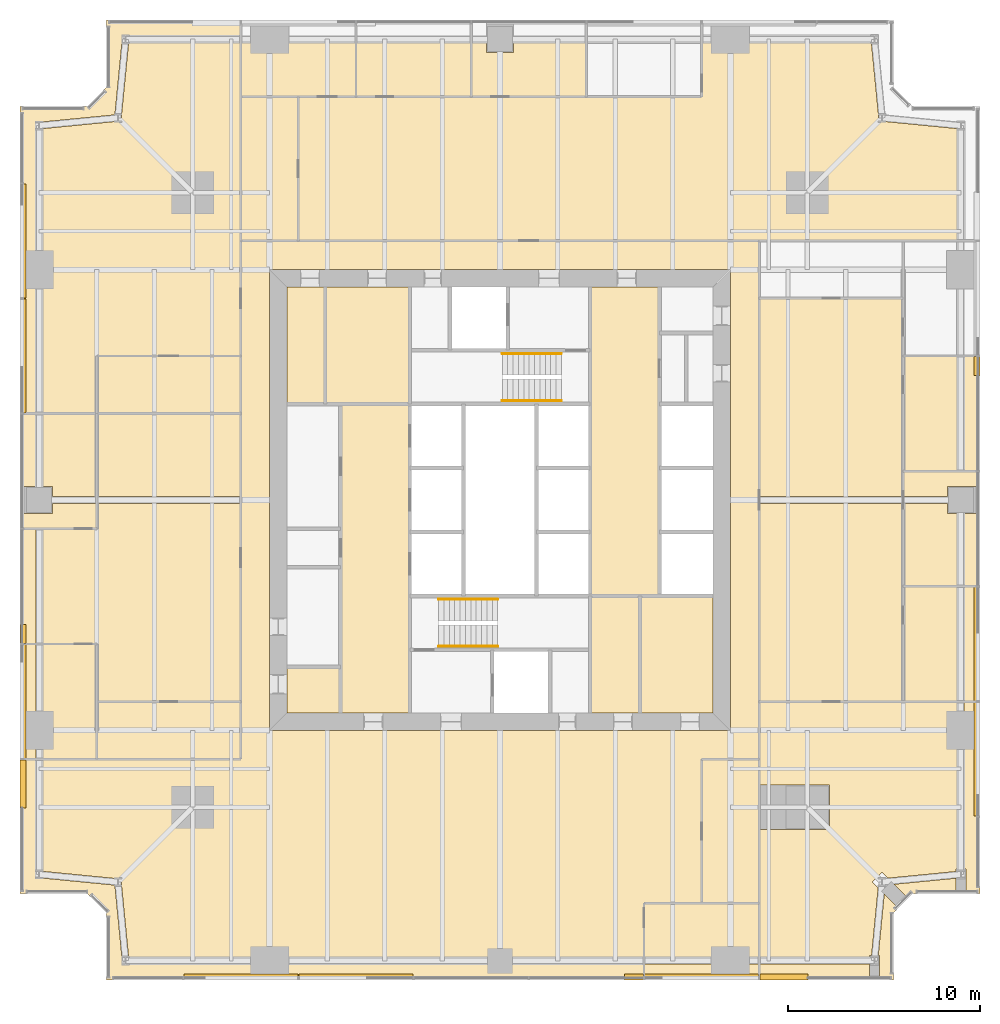
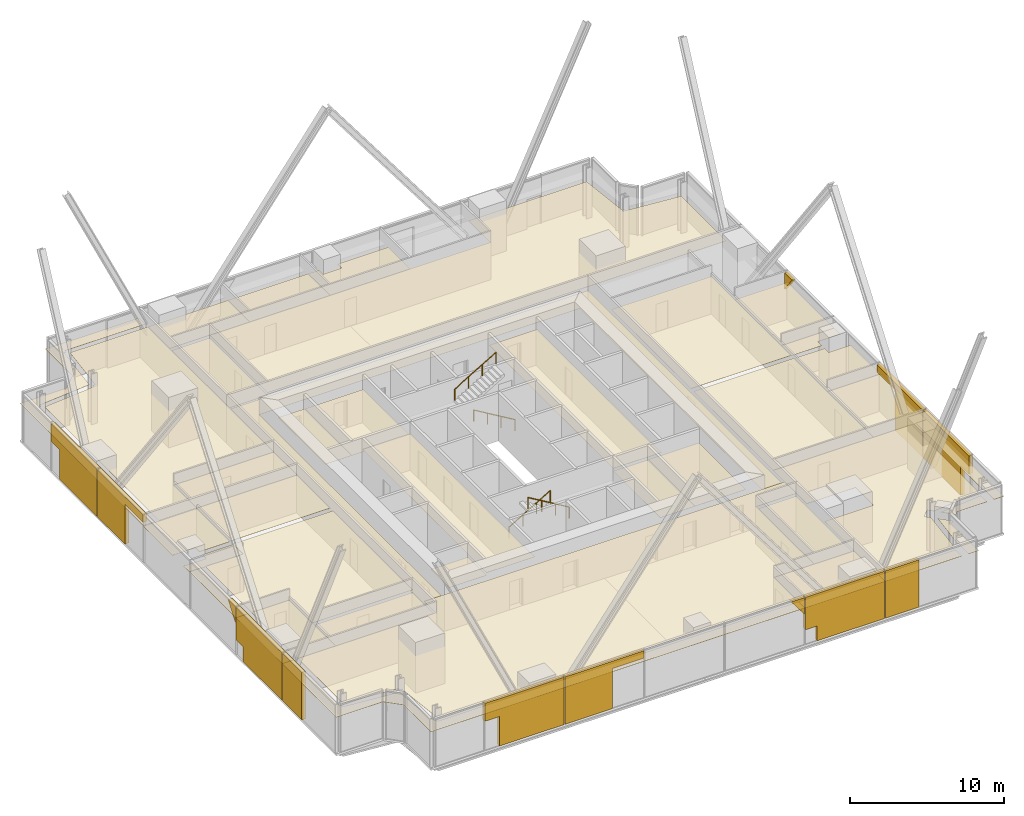
# One storey, part 13 of 14: 53 coverings, 4 railings.
"""IFC4 building model written with IfcOpenShell, lengths in metres."""

from ifc_helpers import new_model, si_unit, direction, frame, origin, origin_2d, place, context, subcontext, project, spatial, polyline, circle, outline, extrude, material, layer, layer_set, type_object, element, save


model = new_model("IFC4")

# Units and contexts
model_context = context("Model", 3, precision=1e-05, world=origin(), true_north=direction((0.0, 1.0)))
body_context = subcontext(model_context, "Body", "Model", "MODEL_VIEW")
ifc_project = project(units=[si_unit("LENGTHUNIT", "METRE"), si_unit("AREAUNIT", "SQUARE_METRE"), si_unit("VOLUMEUNIT", "CUBIC_METRE"), si_unit("PLANEANGLEUNIT", "RADIAN"), si_unit("MASSUNIT", "GRAM", prefix="KILO")], contexts=[model_context])

# Site, building, storey
site_placement = place(None, origin())
site = spatial("IfcSite", under=ifc_project, at=site_placement, CompositionType="ELEMENT")
building_placement = place(site_placement, origin())
building = spatial("IfcBuilding", under=site, at=building_placement, Name="Fenwick Lantern Interchange", CompositionType="ELEMENT")
storey_placement = place(building_placement, frame((0.0, 0.0, 130.39990234375)))
storey = spatial("IfcBuildingStorey", under=building, at=storey_placement, Name="L30", CompositionType="ELEMENT", Elevation=130.39990234375)

# Coverings
ifc_material_1 = material(Name="Mineral fibre acoustic tile on suspended grid")
ifc_layer_1 = layer(ifc_material_1, 0.02001953125)
ifc_layer_set_1 = layer_set([ifc_layer_1], Name="ACOUSTIC TILE CEILING 20")
covering_type_1 = type_object("IfcCoveringType", Name="ACOUSTIC TILE CEILING 20", PredefinedType="CEILING", material=ifc_layer_set_1)
covering_1_placement = place(storey_placement, frame((0.0, 0.0, 2.900146484375)))
element("IfcCovering", 1, at=covering_1_placement, inside=storey, type_object=covering_type_1, Name="Open office ceiling", PredefinedType="CEILING", context=body_context, shape_type="SweptSolid", body=[
    extrude(outline(polyline([(11.5, 11.5), (1.17236328125, 11.5), (1.17236328125, 5.656494140625), (5.11669921875, 5.271484375), (5.10009765625, 5.10009765625), (5.271484375, 5.11669921875), (5.656494140625, 1.17236328125), (13.0, 1.17236328125), (25.0, 1.17236328125), (32.5, 1.17236328125), (32.5, 4.0), (35.5, 4.0), (35.5, 11.5), (38.5, 11.5), (38.5, 13.0), (11.5, 13.0), (11.5, 11.5)])), origin(), (0.0, 0.0, 1.0), 0.02001953125),
])
covering_2_placement = place(storey_placement, frame((0.0, 0.0, 2.900146484375)))
element("IfcCovering", 2, at=covering_2_placement, inside=storey, type_object=covering_type_1, Name="Open office ceiling", PredefinedType="CEILING", context=body_context, shape_type="SweptSolid", body=[
    extrude(outline(polyline([(4.5, 3.5), (4.5, 0.0), (32.5, 0.0), (32.5, 0.82763671875), (25.0, 0.82763671875), (13.0, 0.82763671875), (5.5, 0.82763671875), (5.5, 1.0), (5.328369140625, 0.983154296875), (4.942138671875, 4.942138671875), (0.983154296875, 5.328369140625), (1.0, 5.5), (0.82763671875, 5.5), (0.82763671875, 11.5), (0.0, 11.5), (0.0, 4.5), (3.5, 4.5), (4.5, 3.5)])), origin(), (0.0, 0.0, 1.0), 0.02001953125),
])
covering_3_placement = place(storey_placement, frame((0.0, 0.0, 2.900146484375)))
element("IfcCovering", 3, at=covering_3_placement, inside=storey, type_object=covering_type_1, Name="Meeting room ceiling", PredefinedType="CEILING", context=body_context, shape_type="SweptSolid", body=[
    extrude(outline(polyline([(32.5, 4.0), (32.5, 1.17236328125), (37.0, 1.17236328125), (38.5, 1.17236328125), (38.5, 4.0), (32.5, 4.0)])), origin(), (0.0, 0.0, 1.0), 0.02001953125),
])
covering_4_placement = place(storey_placement, frame((0.0, 0.0, 2.900146484375)))
element("IfcCovering", 4, at=covering_4_placement, inside=storey, type_object=covering_type_1, Name="Meeting room ceiling", PredefinedType="CEILING", context=body_context, shape_type="SweptSolid", body=[
    extrude(outline(polyline([(38.5, 0.0), (38.5, 0.82763671875), (37.0, 0.82763671875), (32.5, 0.82763671875), (32.5, 0.0), (38.5, 0.0)])), origin(), (0.0, 0.0, 1.0), 0.02001953125),
])
covering_5_placement = place(storey_placement, frame((0.0, 0.0, 2.900146484375)))
element("IfcCovering", 5, at=covering_5_placement, inside=storey, type_object=covering_type_1, Name="Office suite ceiling", PredefinedType="CEILING", context=body_context, shape_type="SweptSolid", body=[
    extrude(outline(polyline([(38.5, 24.824951171875), (38.5, 14.5), (46.0, 14.5), (46.0, 24.824951171875), (38.5, 24.824951171875)])), origin(), (0.0, 0.0, 1.0), 0.02001953125),
])
covering_6_placement = place(storey_placement, frame((0.0, 0.0, 2.900146484375)))
element("IfcCovering", 6, at=covering_6_placement, inside=storey, type_object=covering_type_1, Name="Office suite ceiling", PredefinedType="CEILING", context=body_context, shape_type="SweptSolid", body=[
    extrude(outline(polyline([(38.5, 35.5), (38.5, 25.175048828125), (46.0, 25.175048828125), (46.0, 35.5), (38.5, 35.5)])), origin(), (0.0, 0.0, 1.0), 0.02001953125),
])
covering_7_placement = place(storey_placement, frame((0.0, 0.0, 2.900146484375)))
element("IfcCovering", 7, at=covering_7_placement, inside=storey, type_object=covering_type_1, Name="Office ceiling", PredefinedType="CEILING", context=body_context, shape_type="SweptSolid", body=[
    extrude(outline(polyline([(44.23779296875, 1.28759765625), (44.354736328125, 1.28759765625), (44.696044921875, 4.78369140625), (44.379638671875, 5.10009765625), (44.89990234375, 5.620361328125), (45.21630859375, 5.303955078125), (48.73779296875, 5.647705078125), (48.73779296875, 5.78759765625), (48.82763671875, 5.78759765625), (48.82763671875, 13.0), (48.82763671875, 14.5), (38.5, 14.5), (38.5, 10.14990234375), (42.14990234375, 10.14990234375), (42.14990234375, 7.85009765625), (38.5, 7.85009765625), (38.5, 1.17236328125), (44.23779296875, 1.17236328125), (44.23779296875, 1.28759765625)])), origin(), (0.0, 0.0, 1.0), 0.02001953125),
])
covering_8_placement = place(storey_placement, frame((0.0, 0.0, 2.900146484375)))
element("IfcCovering", 8, at=covering_8_placement, inside=storey, type_object=covering_type_1, Name="Office ceiling", PredefinedType="CEILING", context=body_context, shape_type="SweptSolid", body=[
    extrude(outline(polyline([(50.0, 14.5), (49.17236328125, 14.5), (49.17236328125, 13.0), (49.17236328125, 5.78759765625), (49.26220703125, 5.78759765625), (49.26220703125, 4.5), (50.0, 4.5), (50.0, 14.5)])), origin(), (0.0, 0.0, 1.0), 0.02001953125),
])
covering_9_placement = place(storey_placement, frame((0.0, 0.0, 2.900146484375)))
element("IfcCovering", 9, at=covering_9_placement, inside=storey, type_object=covering_type_1, Name="Office ceiling", PredefinedType="CEILING", context=body_context, shape_type="SweptSolid", body=[
    extrude(outline(polyline([(44.23779296875, 0.0), (44.23779296875, 0.82763671875), (38.5, 0.82763671875), (38.5, 0.0), (44.23779296875, 0.0)])), origin(), (0.0, 0.0, 1.0), 0.02001953125),
])
covering_10_placement = place(storey_placement, frame((0.0, 0.0, 2.900146484375)))
element("IfcCovering", 10, at=covering_10_placement, inside=storey, type_object=covering_type_1, Name="Office ceiling", PredefinedType="CEILING", context=body_context, shape_type="SweptSolid", body=[
    extrude(outline(polyline([(44.76220703125, 1.28759765625), (44.76220703125, 0.0), (45.5, 0.0), (45.5, 3.5), (45.73974609375, 3.73974609375), (45.011474609375, 4.468017578125), (44.701171875, 1.28759765625), (44.76220703125, 1.28759765625)])), origin(), (0.0, 0.0, 1.0), 0.02001953125),
])
covering_11_placement = place(storey_placement, frame((0.0, 0.0, 2.900146484375)))
element("IfcCovering", 11, at=covering_11_placement, inside=storey, type_object=covering_type_1, Name="Office ceiling", PredefinedType="CEILING", context=body_context, shape_type="SweptSolid", body=[
    extrude(outline(polyline([(48.73779296875, 4.5), (48.73779296875, 5.30126953125), (45.531982421875, 4.988525390625), (46.26025390625, 4.26025390625), (46.5, 4.5), (48.73779296875, 4.5)])), origin(), (0.0, 0.0, 1.0), 0.02001953125),
])
covering_12_placement = place(storey_placement, frame((0.0, 0.0, 2.8681640625)))
element("IfcCovering", 12, at=covering_12_placement, inside=storey, type_object=covering_type_1, Name="Office ceiling", PredefinedType="CEILING", context=body_context, shape_type="SweptSolid", body=[
    extrude(outline(polyline([(50.0, 14.5), (50.0, 20.5), (46.0, 20.5), (46.0, 14.5), (50.0, 14.5)])), origin(), (0.0, 0.0, 1.0), 0.02001953125),
])
covering_13_placement = place(storey_placement, frame((0.0, 0.0, 2.8681640625)))
element("IfcCovering", 13, at=covering_13_placement, inside=storey, type_object=covering_type_1, Name="Office ceiling", PredefinedType="CEILING", context=body_context, shape_type="SweptSolid", body=[
    extrude(outline(polyline([(46.0, 20.5), (50.0, 20.5), (50.0, 24.300048828125), (48.300048828125, 24.300048828125), (48.300048828125, 24.824951171875), (46.0, 24.824951171875), (46.0, 20.5)])), origin(), (0.0, 0.0, 1.0), 0.02001953125),
])
covering_14_placement = place(storey_placement, frame((0.0, 0.0, 2.8681640625)))
element("IfcCovering", 14, at=covering_14_placement, inside=storey, type_object=covering_type_1, Name="Office ceiling", PredefinedType="CEILING", context=body_context, shape_type="SweptSolid", body=[
    extrude(outline(polyline([(46.0, 26.5), (46.0, 25.175048828125), (48.300048828125, 25.175048828125), (48.300048828125, 25.699951171875), (50.0, 25.699951171875), (50.0, 26.5), (46.0, 26.5)])), origin(), (0.0, 0.0, 1.0), 0.02001953125),
])
covering_15_placement = place(storey_placement, frame((0.0, 0.0, 2.8681640625)))
element("IfcCovering", 15, at=covering_15_placement, inside=storey, type_object=covering_type_1, Name="Office ceiling", PredefinedType="CEILING", context=body_context, shape_type="SweptSolid", body=[
    extrude(outline(polyline([(50.0, 26.5), (50.0, 32.5), (46.0, 32.5), (46.0, 26.5), (50.0, 26.5)])), origin(), (0.0, 0.0, 1.0), 0.02001953125),
])
covering_16_placement = place(storey_placement, frame((0.0, 0.0, 2.900146484375)))
element("IfcCovering", 16, at=covering_16_placement, inside=storey, type_object=covering_type_1, Name="Office suite ceiling", PredefinedType="CEILING", context=body_context, shape_type="SweptSolid", body=[
    extrude(outline(polyline([(14.5, 38.5), (48.82763671875, 38.5), (48.82763671875, 44.343505859375), (44.88330078125, 44.728515625), (44.89990234375, 44.89990234375), (44.728515625, 44.88330078125), (44.343505859375, 48.82763671875), (37.0, 48.82763671875), (35.5, 48.82763671875), (35.5, 46.0), (14.5, 46.0), (14.5, 38.5)])), origin(), (0.0, 0.0, 1.0), 0.02001953125),
])
covering_17_placement = place(storey_placement, frame((0.0, 0.0, 2.900146484375)))
element("IfcCovering", 17, at=covering_17_placement, inside=storey, type_object=covering_type_1, Name="Office ceiling", PredefinedType="CEILING", context=body_context, shape_type="SweptSolid", body=[
    extrude(outline(polyline([(29.5, 46.0), (29.5, 48.82763671875), (25.699951171875, 48.82763671875), (25.699951171875, 48.300048828125), (24.300048828125, 48.300048828125), (24.300048828125, 48.82763671875), (23.5, 48.82763671875), (23.5, 46.0), (29.5, 46.0)])), origin(), (0.0, 0.0, 1.0), 0.02001953125),
])
covering_18_placement = place(storey_placement, frame((0.0, 0.0, 2.900146484375)))
element("IfcCovering", 18, at=covering_18_placement, inside=storey, type_object=covering_type_1, Name="Office ceiling", PredefinedType="CEILING", context=body_context, shape_type="SweptSolid", body=[
    extrude(outline(polyline([(23.5, 46.0), (23.5, 48.82763671875), (17.5, 48.82763671875), (17.5, 46.0), (23.5, 46.0)])), origin(), (0.0, 0.0, 1.0), 0.02001953125),
])
covering_19_placement = place(storey_placement, frame((0.0, 0.0, 2.900146484375)))
element("IfcCovering", 19, at=covering_19_placement, inside=storey, type_object=covering_type_1, Name="Meeting room ceiling", PredefinedType="CEILING", context=body_context, shape_type="SweptSolid", body=[
    extrude(outline(polyline([(17.5, 46.0), (17.5, 48.82763671875), (13.0, 48.82763671875), (11.5, 48.82763671875), (11.5, 46.0), (17.5, 46.0)])), origin(), (0.0, 0.0, 1.0), 0.02001953125),
])
covering_20_placement = place(storey_placement, frame((0.0, 0.0, 2.900146484375)))
element("IfcCovering", 20, at=covering_20_placement, inside=storey, type_object=covering_type_1, Name="Office suite ceiling", PredefinedType="CEILING", context=body_context, shape_type="SweptSolid", body=[
    extrude(outline(polyline([(1.17236328125, 29.5), (4.0, 29.5), (4.0, 32.5), (11.5, 32.5), (11.5, 48.82763671875), (5.656494140625, 48.82763671875), (5.271484375, 44.88330078125), (5.10009765625, 44.89990234375), (5.11669921875, 44.728515625), (1.17236328125, 44.343505859375), (1.17236328125, 37.0), (1.17236328125, 29.5)])), origin(), (0.0, 0.0, 1.0), 0.02001953125),
])
covering_21_placement = place(storey_placement, frame((0.0, 0.0, 2.900146484375)))
element("IfcCovering", 21, at=covering_21_placement, inside=storey, type_object=covering_type_1, Name="Office suite ceiling", PredefinedType="CEILING", context=body_context, shape_type="SweptSolid", body=[
    extrude(outline(polyline([(0.0, 29.5), (0.82763671875, 29.5), (0.82763671875, 37.0), (0.82763671875, 44.5), (1.0, 44.5), (0.983154296875, 44.671630859375), (4.942138671875, 45.057861328125), (5.328369140625, 49.016845703125), (5.5, 49.0), (5.5, 49.17236328125), (11.5, 49.17236328125), (11.5, 50.0), (4.5, 50.0), (4.5, 46.5), (3.5, 45.5), (0.0, 45.5), (0.0, 29.5)])), origin(), (0.0, 0.0, 1.0), 0.02001953125),
])
covering_22_placement = place(storey_placement, frame((0.0, 0.0, 2.900146484375)))
element("IfcCovering", 22, at=covering_22_placement, inside=storey, type_object=covering_type_1, Name="Meeting room ceiling", PredefinedType="CEILING", context=body_context, shape_type="SweptSolid", body=[
    extrude(outline(polyline([(4.0, 32.5), (4.0, 29.5), (11.5, 29.5), (11.5, 32.5), (4.0, 32.5)])), origin(), (0.0, 0.0, 1.0), 0.02001953125),
])
covering_23_placement = place(storey_placement, frame((0.0, 0.0, 2.900146484375)))
element("IfcCovering", 23, at=covering_23_placement, inside=storey, type_object=covering_type_1, Name="Office suite ceiling", PredefinedType="CEILING", context=body_context, shape_type="SweptSolid", body=[
    extrude(outline(polyline([(4.0, 23.5), (1.17236328125, 23.5), (1.17236328125, 17.5), (4.0, 17.5), (4.0, 14.5), (11.5, 14.5), (11.5, 24.824951171875), (4.0, 24.824951171875), (4.0, 23.5)])), origin(), (0.0, 0.0, 1.0), 0.02001953125),
])
covering_24_placement = place(storey_placement, frame((0.0, 0.0, 2.900146484375)))
element("IfcCovering", 24, at=covering_24_placement, inside=storey, type_object=covering_type_1, Name="Office suite ceiling", PredefinedType="CEILING", context=body_context, shape_type="SweptSolid", body=[
    extrude(outline(polyline([(4.0, 29.5), (4.0, 25.175048828125), (11.5, 25.175048828125), (11.5, 29.5), (4.0, 29.5)])), origin(), (0.0, 0.0, 1.0), 0.02001953125),
])
covering_25_placement = place(storey_placement, frame((0.0, 0.0, 2.900146484375)))
element("IfcCovering", 25, at=covering_25_placement, inside=storey, type_object=covering_type_1, Name="Office suite ceiling", PredefinedType="CEILING", context=body_context, shape_type="SweptSolid", body=[
    extrude(outline(polyline([(0.0, 23.5), (0.0, 17.5), (0.82763671875, 17.5), (0.82763671875, 23.5), (0.0, 23.5)])), origin(), (0.0, 0.0, 1.0), 0.02001953125),
])
covering_26_placement = place(storey_placement, frame((0.0, 0.0, 2.8681640625)))
element("IfcCovering", 26, at=covering_26_placement, inside=storey, type_object=covering_type_1, Name="Office ceiling", PredefinedType="CEILING", context=body_context, shape_type="SweptSolid", body=[
    extrude(outline(polyline([(4.0, 29.5), (0.0, 29.5), (0.0, 25.699951171875), (1.699951171875, 25.699951171875), (1.699951171875, 25.175048828125), (4.0, 25.175048828125), (4.0, 29.5)])), origin(), (0.0, 0.0, 1.0), 0.02001953125),
])
covering_27_placement = place(storey_placement, frame((0.0, 0.0, 2.8681640625)))
element("IfcCovering", 27, at=covering_27_placement, inside=storey, type_object=covering_type_1, Name="Office ceiling", PredefinedType="CEILING", context=body_context, shape_type="SweptSolid", body=[
    extrude(outline(polyline([(4.0, 23.5), (4.0, 24.824951171875), (1.699951171875, 24.824951171875), (1.699951171875, 24.300048828125), (0.0, 24.300048828125), (0.0, 23.5), (4.0, 23.5)])), origin(), (0.0, 0.0, 1.0), 0.02001953125),
])
covering_28_placement = place(storey_placement, frame((0.0, 0.0, 2.900146484375)))
element("IfcCovering", 28, at=covering_28_placement, inside=storey, type_object=covering_type_1, Name="Office ceiling", PredefinedType="CEILING", context=body_context, shape_type="SweptSolid", body=[
    extrude(outline(polyline([(4.0, 17.5), (1.17236328125, 17.5), (1.17236328125, 13.0), (1.17236328125, 11.5), (4.0, 11.5), (4.0, 17.5)])), origin(), (0.0, 0.0, 1.0), 0.02001953125),
])
covering_29_placement = place(storey_placement, frame((0.0, 0.0, 2.900146484375)))
element("IfcCovering", 29, at=covering_29_placement, inside=storey, type_object=covering_type_1, Name="Office ceiling", PredefinedType="CEILING", context=body_context, shape_type="SweptSolid", body=[
    extrude(outline(polyline([(0.0, 11.5), (0.82763671875, 11.5), (0.82763671875, 13.0), (0.82763671875, 17.5), (0.0, 17.5), (0.0, 11.5)])), origin(), (0.0, 0.0, 1.0), 0.02001953125),
])
ifc_material_2 = material(Name="Granite cladding, warm grey flamed finish, on aluminium carrier frame", Category="masonry")
ifc_layer_2 = layer(ifc_material_2, 0.300048828125)
ifc_layer_set_2 = layer_set([ifc_layer_2], Name="BRACE CASING PANEL 300")
covering_type_2 = type_object("IfcCoveringType", Name="BRACE CASING PANEL 300", PredefinedType="CLADDING", material=ifc_layer_set_2)
covering_30_placement = place(storey_placement, frame((4.60009765625, 0.10009765625, 0.0), z_axis=(0.0, 0.0, 1.0), x_axis=(1.0, 0.0, 0.0)))
element("IfcCovering", 30, at=covering_30_placement, inside=storey, type_object=covering_type_2, Name="Brace casing 01 bay 01a", PredefinedType="CLADDING", context=body_context, shape_type="SweptSolid", body=[
    extrude(outline(polyline([(5.032470703125, 0.0), (9.867431640625, 0.0), (9.867431640625, 3.75), (3.9326171875, 3.75), (3.9326171875, 2.337158203125), (5.032470703125, 2.337158203125), (5.032470703125, 0.0)])), frame((0.0, 0.2001953125, 0.0), z_axis=(0.0, -1.0, 0.0), x_axis=(1.0, 0.0, 0.0)), (0.0, 0.0, 1.0), 0.300048828125),
])
covering_31_placement = place(storey_placement, frame((4.60009765625, 0.10009765625, 0.0), z_axis=(0.0, 0.0, 1.0), x_axis=(1.0, 0.0, 0.0)))
element("IfcCovering", 31, at=covering_31_placement, inside=storey, type_object=covering_type_2, Name="Brace casing 01 bay 02a", PredefinedType="CLADDING", context=body_context, shape_type="SweptSolid", body=[
    extrude(outline(polyline([(9.9326171875, 0.0), (13.484375, 0.0), (13.484375, 3.17333984375), (15.867431640625, 3.17333984375), (15.867431640625, 3.75), (9.9326171875, 3.75), (9.9326171875, 0.0)])), frame((0.0, 0.2001953125, 0.0), z_axis=(0.0, -1.0, 0.0), x_axis=(1.0, 0.0, 0.0)), (0.0, 0.0, 1.0), 0.300048828125),
])
covering_32_placement = place(storey_placement, frame((4.60009765625, 0.10009765625, 2.4375), z_axis=(0.0, 0.0, 1.0), x_axis=(1.0, 0.0, 0.0)))
element("IfcCovering", 32, at=covering_32_placement, inside=storey, type_object=covering_type_2, Name="Brace casing 01 bay 04a", PredefinedType="CLADDING", context=body_context, shape_type="SweptSolid", body=[
    extrude(outline(polyline([(27.867431640625, 0.0), (27.867431640625, 1.3125), (26.883056640625, 1.3125), (27.867431640625, 0.0)])), frame((0.0, 0.2001953125, 0.0), z_axis=(0.0, -1.0, 0.0), x_axis=(1.0, 0.0, 0.0)), (0.0, 0.0, 1.0), 0.300048828125),
])
covering_33_placement = place(storey_placement, frame((4.60009765625, 0.10009765625, 0.0), z_axis=(0.0, 0.0, 1.0), x_axis=(1.0, 0.0, 0.0)))
element("IfcCovering", 33, at=covering_33_placement, inside=storey, type_object=covering_type_2, Name="Brace casing 01 bay 05a", PredefinedType="CLADDING", context=body_context, shape_type="SweptSolid", body=[
    extrude(outline(polyline([(28.8125, 0.0), (33.867431640625, 0.0), (33.867431640625, 3.75), (27.9326171875, 3.75), (27.9326171875, 1.177490234375), (28.8125, 1.177490234375), (28.8125, 0.0)])), frame((0.0, 0.2001953125, 0.0), z_axis=(0.0, -1.0, 0.0), x_axis=(1.0, 0.0, 0.0)), (0.0, 0.0, 1.0), 0.300048828125),
])
covering_34_placement = place(storey_placement, frame((4.60009765625, 0.10009765625, 0.0), z_axis=(0.0, 0.0, 1.0), x_axis=(1.0, 0.0, 0.0)))
element("IfcCovering", 34, at=covering_34_placement, inside=storey, type_object=covering_type_2, Name="Brace casing 01 bay 06a", PredefinedType="CLADDING", context=body_context, shape_type="SweptSolid", body=[
    extrude(outline(polyline([(33.9326171875, 0.0), (36.431884765625, 0.0), (36.431884765625, 3.75), (33.9326171875, 3.75), (33.9326171875, 0.0)])), frame((0.0, 0.2001953125, 0.0), z_axis=(0.0, -1.0, 0.0), x_axis=(1.0, 0.0, 0.0)), (0.0, 0.0, 1.0), 0.300048828125),
])
covering_35_placement = place(storey_placement, frame((49.89990234375, 4.60009765625, 0.0), z_axis=(0.0, 0.0, 1.0), x_axis=(0.0, 1.0, 0.0)))
element("IfcCovering", 35, at=covering_35_placement, inside=storey, type_object=covering_type_2, Name="Brace casing 05 bay 01a", PredefinedType="CLADDING", context=body_context, shape_type="SweptSolid", body=[
    extrude(outline(polyline([(5.032470703125, 0.0), (9.867431640625, 0.0), (9.867431640625, 3.75), (3.9326171875, 3.75), (3.9326171875, 2.337158203125), (5.032470703125, 2.337158203125), (5.032470703125, 0.0)])), frame((0.0, 0.2001953125, 0.0), z_axis=(0.0, -1.0, 0.0), x_axis=(1.0, 0.0, 0.0)), (0.0, 0.0, 1.0), 0.300048828125),
])
covering_36_placement = place(storey_placement, frame((49.89990234375, 4.60009765625, 0.0), z_axis=(0.0, 0.0, 1.0), x_axis=(0.0, 1.0, 0.0)))
element("IfcCovering", 36, at=covering_36_placement, inside=storey, type_object=covering_type_2, Name="Brace casing 05 bay 02a", PredefinedType="CLADDING", context=body_context, shape_type="SweptSolid", body=[
    extrude(outline(polyline([(9.9326171875, 0.0), (13.484375, 0.0), (13.484375, 3.17333984375), (15.867431640625, 3.17333984375), (15.867431640625, 3.75), (9.9326171875, 3.75), (9.9326171875, 0.0)])), frame((0.0, 0.2001953125, 0.0), z_axis=(0.0, -1.0, 0.0), x_axis=(1.0, 0.0, 0.0)), (0.0, 0.0, 1.0), 0.300048828125),
])
covering_37_placement = place(storey_placement, frame((49.89990234375, 4.60009765625, 2.4375), z_axis=(0.0, 0.0, 1.0), x_axis=(0.0, 1.0, 0.0)))
element("IfcCovering", 37, at=covering_37_placement, inside=storey, type_object=covering_type_2, Name="Brace casing 05 bay 04a", PredefinedType="CLADDING", context=body_context, shape_type="SweptSolid", body=[
    extrude(outline(polyline([(27.867431640625, 0.0), (27.867431640625, 1.3125), (26.883056640625, 1.3125), (27.867431640625, 0.0)])), frame((0.0, 0.2001953125, 0.0), z_axis=(0.0, -1.0, 0.0), x_axis=(1.0, 0.0, 0.0)), (0.0, 0.0, 1.0), 0.300048828125),
])
covering_38_placement = place(storey_placement, frame((0.10009765625, 45.39990234375, 0.0), z_axis=(0.0, 0.0, 1.0), x_axis=(0.0, -1.0, 0.0)))
element("IfcCovering", 38, at=covering_38_placement, inside=storey, type_object=covering_type_2, Name="Brace casing 13 bay 01a", PredefinedType="CLADDING", context=body_context, shape_type="SweptSolid", body=[
    extrude(outline(polyline([(5.032470703125, 0.0), (9.867431640625, 0.0), (9.867431640625, 3.75), (3.9326171875, 3.75), (3.9326171875, 2.337158203125), (5.032470703125, 2.337158203125), (5.032470703125, 0.0)])), frame((0.0, 0.2001953125, 0.0), z_axis=(0.0, -1.0, 0.0), x_axis=(1.0, 0.0, 0.0)), (0.0, 0.0, 1.0), 0.300048828125),
])
covering_39_placement = place(storey_placement, frame((0.10009765625, 45.39990234375, 0.0), z_axis=(0.0, 0.0, 1.0), x_axis=(0.0, -1.0, 0.0)))
element("IfcCovering", 39, at=covering_39_placement, inside=storey, type_object=covering_type_2, Name="Brace casing 13 bay 02a", PredefinedType="CLADDING", context=body_context, shape_type="SweptSolid", body=[
    extrude(outline(polyline([(9.9326171875, 0.0), (13.484375, 0.0), (13.484375, 3.17333984375), (15.867431640625, 3.17333984375), (15.867431640625, 3.75), (9.9326171875, 3.75), (9.9326171875, 0.0)])), frame((0.0, 0.2001953125, 0.0), z_axis=(0.0, -1.0, 0.0), x_axis=(1.0, 0.0, 0.0)), (0.0, 0.0, 1.0), 0.300048828125),
])
covering_40_placement = place(storey_placement, frame((0.10009765625, 45.39990234375, 2.4375), z_axis=(0.0, 0.0, 1.0), x_axis=(0.0, -1.0, 0.0)))
element("IfcCovering", 40, at=covering_40_placement, inside=storey, type_object=covering_type_2, Name="Brace casing 13 bay 04a", PredefinedType="CLADDING", context=body_context, shape_type="SweptSolid", body=[
    extrude(outline(polyline([(27.867431640625, 0.0), (27.867431640625, 1.3125), (26.883056640625, 1.3125), (27.867431640625, 0.0)])), frame((0.0, 0.2001953125, 0.0), z_axis=(0.0, -1.0, 0.0), x_axis=(1.0, 0.0, 0.0)), (0.0, 0.0, 1.0), 0.300048828125),
])
covering_41_placement = place(storey_placement, frame((0.10009765625, 45.39990234375, 0.0), z_axis=(0.0, 0.0, 1.0), x_axis=(0.0, -1.0, 0.0)))
element("IfcCovering", 41, at=covering_41_placement, inside=storey, type_object=covering_type_2, Name="Brace casing 13 bay 05a", PredefinedType="CLADDING", context=body_context, shape_type="SweptSolid", body=[
    extrude(outline(polyline([(28.8125, 0.0), (33.867431640625, 0.0), (33.867431640625, 3.75), (27.9326171875, 3.75), (27.9326171875, 1.177490234375), (28.8125, 1.177490234375), (28.8125, 0.0)])), frame((0.0, 0.2001953125, 0.0), z_axis=(0.0, -1.0, 0.0), x_axis=(1.0, 0.0, 0.0)), (0.0, 0.0, 1.0), 0.300048828125),
])
covering_42_placement = place(storey_placement, frame((0.10009765625, 45.39990234375, 0.0), z_axis=(0.0, 0.0, 1.0), x_axis=(0.0, -1.0, 0.0)))
element("IfcCovering", 42, at=covering_42_placement, inside=storey, type_object=covering_type_2, Name="Brace casing 13 bay 06a", PredefinedType="CLADDING", context=body_context, shape_type="SweptSolid", body=[
    extrude(outline(polyline([(33.9326171875, 0.0), (36.431884765625, 0.0), (36.431884765625, 3.75), (33.9326171875, 3.75), (33.9326171875, 0.0)])), frame((0.0, 0.2001953125, 0.0), z_axis=(0.0, -1.0, 0.0), x_axis=(1.0, 0.0, 0.0)), (0.0, 0.0, 1.0), 0.300048828125),
])

# Railings
ifc_material_3 = material(Name="Stainless steel handrail", Category="steel")
railing_type = type_object("IfcRailingType", Name="HANDRAIL 900", PredefinedType="HANDRAIL", material=ifc_material_3)
railing_1_placement = place(storey_placement, frame((21.800048828125, 19.825927734375, 0.166748046875)))
element("IfcRailing", 43, at=railing_1_placement, inside=storey, type_object=railing_type, Name="L30/STAIR/ST1/HR1", PredefinedType="HANDRAIL", context=body_context, shape_type="SweptSolid", body=[
    extrude(circle(Radius=0.02392578125, at=origin_2d()), frame((0.0, 0.0, 0.8759765625), z_axis=(0.859290745958, 0.0, 0.51148745235), x_axis=(0.0, 1.0, 0.0)), (0.0, 0.0, 1.0), 3.584228515625),
    extrude(circle(Radius=0.02099609375, at=origin_2d()), origin(), (0.0, 0.0, 1.0), 0.851806640625),
    extrude(circle(Radius=0.02099609375, at=origin_2d()), frame((1.026611328125, 0.0, 0.611083984375)), (0.0, 0.0, 1.0), 0.851806640625),
    extrude(circle(Radius=0.02099609375, at=origin_2d()), frame((2.05322265625, 0.0, 1.22216796875)), (0.0, 0.0, 1.0), 0.851806640625),
    extrude(circle(Radius=0.02099609375, at=origin_2d()), frame((3.079833984375, 0.0, 1.833251953125)), (0.0, 0.0, 1.0), 0.851806640625),
])
for number, where, name in (
    (44, (24.8798828125, 17.3740234375, 2.166748046875), "L30/STAIR/ST1/HR2"),
    (45, (28.199951171875, 30.174072265625, 0.166748046875), "L30/STAIR/ST2/HR1"),
):
    element("IfcRailing", number, at=place(storey_placement, frame(where)), inside=storey, type_object=railing_type, Name=name, PredefinedType="HANDRAIL", context=body_context, shape_type="SweptSolid", body=[
        extrude(circle(Radius=0.02392578125, at=origin_2d()), frame((0.0, 0.0, 0.8759765625), z_axis=(-0.859290745958, 0.0, 0.51148745235), x_axis=(0.0, -1.0, 0.0)), (0.0, 0.0, 1.0), 3.584228515625),
        extrude(circle(Radius=0.02099609375, at=origin_2d()), origin(), (0.0, 0.0, 1.0), 0.851806640625),
        extrude(circle(Radius=0.02099609375, at=origin_2d()), frame((-1.026611328125, 0.0, 0.611083984375)), (0.0, 0.0, 1.0), 0.851806640625),
        extrude(circle(Radius=0.02099609375, at=origin_2d()), frame((-2.05322265625, 0.0, 1.22216796875)), (0.0, 0.0, 1.0), 0.851806640625),
        extrude(circle(Radius=0.02099609375, at=origin_2d()), frame((-3.079833984375, 0.0, 1.833251953125)), (0.0, 0.0, 1.0), 0.851806640625),
    ])
railing_2_placement = place(storey_placement, frame((25.1201171875, 32.6259765625, 2.166748046875)))
element("IfcRailing", 46, at=railing_2_placement, inside=storey, type_object=railing_type, Name="L30/STAIR/ST2/HR2", PredefinedType="HANDRAIL", context=body_context, shape_type="SweptSolid", body=[
    extrude(circle(Radius=0.02392578125, at=origin_2d()), frame((0.0, 0.0, 0.8759765625), z_axis=(0.859290745958, 0.0, 0.51148745235), x_axis=(0.0, 1.0, 0.0)), (0.0, 0.0, 1.0), 3.584228515625),
    extrude(circle(Radius=0.02099609375, at=origin_2d()), origin(), (0.0, 0.0, 1.0), 0.851806640625),
    extrude(circle(Radius=0.02099609375, at=origin_2d()), frame((1.026611328125, 0.0, 0.611083984375)), (0.0, 0.0, 1.0), 0.851806640625),
    extrude(circle(Radius=0.02099609375, at=origin_2d()), frame((2.05322265625, 0.0, 1.22216796875)), (0.0, 0.0, 1.0), 0.851806640625),
    extrude(circle(Radius=0.02099609375, at=origin_2d()), frame((3.079833984375, 0.0, 1.833251953125)), (0.0, 0.0, 1.0), 0.851806640625),
])

# Coverings
ifc_material_4 = material(Name="Moisture resistant gypsum board on suspended frame, painted")
ifc_layer_3 = layer(ifc_material_4, 0.014892578125)
ifc_layer_set_3 = layer_set([ifc_layer_3], Name="MOISTURE RESISTANT CEILING 15")
covering_type_3 = type_object("IfcCoveringType", Name="MOISTURE RESISTANT CEILING 15", PredefinedType="CEILING", material=ifc_layer_set_3)
covering_43_placement = place(storey_placement, frame((0.0, 0.0, 2.60009765625)))
element("IfcCovering", 47, at=covering_43_placement, inside=storey, type_object=covering_type_3, Name="Men's WC ceiling", PredefinedType="CEILING", context=body_context, shape_type="SweptSolid", body=[
    extrude(outline(polyline([(29.699951171875, 13.89990234375), (32.300048828125, 13.89990234375), (32.300048828125, 20.0), (29.699951171875, 20.0), (29.699951171875, 13.89990234375)])), origin(), (0.0, 0.0, 1.0), 0.014892578125),
])
covering_44_placement = place(storey_placement, frame((0.0, 0.0, 2.60009765625)))
element("IfcCovering", 48, at=covering_44_placement, inside=storey, type_object=covering_type_3, Name="Women's WC ceiling", PredefinedType="CEILING", context=body_context, shape_type="SweptSolid", body=[
    extrude(outline(polyline([(32.300048828125, 13.89990234375), (36.10009765625, 13.89990234375), (36.10009765625, 20.0), (32.300048828125, 20.0), (32.300048828125, 13.89990234375)])), origin(), (0.0, 0.0, 1.0), 0.014892578125),
])
covering_45_placement = place(storey_placement, frame((0.0, 0.0, 2.60009765625)))
element("IfcCovering", 49, at=covering_45_placement, inside=storey, type_object=covering_type_3, Name="Accessible WC ceiling", PredefinedType="CEILING", context=body_context, shape_type="SweptSolid", body=[
    extrude(outline(polyline([(13.89990234375, 13.89990234375), (16.699951171875, 13.89990234375), (16.699951171875, 16.300048828125), (13.89990234375, 16.300048828125), (13.89990234375, 13.89990234375)])), origin(), (0.0, 0.0, 1.0), 0.014892578125),
])
covering_46_placement = place(storey_placement, frame((0.0, 0.0, 2.60009765625)))
element("IfcCovering", 50, at=covering_46_placement, inside=storey, type_object=covering_type_3, Name="Women's WC ceiling", PredefinedType="CEILING", context=body_context, shape_type="SweptSolid", body=[
    extrude(outline(polyline([(20.300048828125, 36.10009765625), (15.89990234375, 36.10009765625), (15.89990234375, 30.0), (20.300048828125, 30.0), (20.300048828125, 36.10009765625)])), origin(), (0.0, 0.0, 1.0), 0.014892578125),
])
covering_47_placement = place(storey_placement, frame((0.0, 0.0, 2.60009765625)))
element("IfcCovering", 51, at=covering_47_placement, inside=storey, type_object=covering_type_3, Name="Men's WC ceiling", PredefinedType="CEILING", context=body_context, shape_type="SweptSolid", body=[
    extrude(outline(polyline([(15.89990234375, 36.10009765625), (13.89990234375, 36.10009765625), (13.89990234375, 30.0), (15.89990234375, 30.0), (15.89990234375, 36.10009765625)])), origin(), (0.0, 0.0, 1.0), 0.014892578125),
])
covering_48_placement = place(storey_placement, frame((0.0, 0.0, 2.7001953125)))
element("IfcCovering", 52, at=covering_48_placement, inside=storey, type_object=covering_type_3, Name="Pantry ceiling", PredefinedType="CEILING", context=body_context, shape_type="SweptSolid", body=[
    extrude(outline(polyline([(35.5, 4.0), (38.5, 4.0), (38.5, 11.5), (35.5, 11.5), (35.5, 4.0)])), origin(), (0.0, 0.0, 1.0), 0.014892578125),
])
covering_49_placement = place(storey_placement, frame((0.0, 0.0, 2.7001953125)))
element("IfcCovering", 53, at=covering_49_placement, inside=storey, type_object=covering_type_3, Name="Pantry ceiling", PredefinedType="CEILING", context=body_context, shape_type="SweptSolid", body=[
    extrude(outline(polyline([(14.5, 46.0), (11.5, 46.0), (11.5, 38.5), (14.5, 38.5), (14.5, 46.0)])), origin(), (0.0, 0.0, 1.0), 0.014892578125),
])
covering_50_placement = place(storey_placement, frame((0.0, 0.0, 2.7001953125)))
element("IfcCovering", 54, at=covering_50_placement, inside=storey, type_object=covering_type_3, Name="Pantry ceiling", PredefinedType="CEILING", context=body_context, shape_type="SweptSolid", body=[
    extrude(outline(polyline([(4.0, 14.5), (4.0, 11.5), (11.5, 11.5), (11.5, 14.5), (4.0, 14.5)])), origin(), (0.0, 0.0, 1.0), 0.014892578125),
])
ifc_material_5 = material(Name="Gypsum plasterboard on suspended frame, painted")
ifc_layer_4 = layer(ifc_material_5, 0.014892578125)
ifc_layer_set_4 = layer_set([ifc_layer_4], Name="PLASTERBOARD CEILING 15")
covering_type_4 = type_object("IfcCoveringType", Name="PLASTERBOARD CEILING 15", PredefinedType="CEILING", material=ifc_layer_set_4)
covering_51_placement = place(storey_placement, frame((0.0, 0.0, 2.800048828125)))
element("IfcCovering", 55, at=covering_51_placement, inside=storey, type_object=covering_type_4, Name="Lift lobby ceiling", PredefinedType="CEILING", context=body_context, shape_type="SweptSolid", body=[
    extrude(outline(polyline([(16.699951171875, 13.89990234375), (20.300048828125, 13.89990234375), (20.300048828125, 30.0), (16.699951171875, 30.0), (16.699951171875, 13.89990234375)])), origin(), (0.0, 0.0, 1.0), 0.01513671875),
])
covering_52_placement = place(storey_placement, frame((0.0, 0.0, 2.800048828125)))
element("IfcCovering", 56, at=covering_52_placement, inside=storey, type_object=covering_type_4, Name="Lift lobby ceiling", PredefinedType="CEILING", context=body_context, shape_type="SweptSolid", body=[
    extrude(outline(polyline([(33.300048828125, 36.10009765625), (29.699951171875, 36.10009765625), (29.699951171875, 20.0), (33.300048828125, 20.0), (33.300048828125, 36.10009765625)])), origin(), (0.0, 0.0, 1.0), 0.01513671875),
])
covering_53_placement = place(storey_placement, frame((0.0, 0.0, 2.60009765625)))
element("IfcCovering", 57, at=covering_53_placement, inside=storey, type_object=covering_type_4, Name="Corridor ceiling", PredefinedType="CEILING", context=body_context, shape_type="SweptSolid", body=[
    extrude(outline(polyline([(38.5, 38.5), (11.5, 38.5), (11.5, 13.0), (13.0, 13.0), (13.0, 37.0), (37.0, 37.0), (37.0, 13.0), (38.5, 13.0), (38.5, 38.5)])), origin(), (0.0, 0.0, 1.0), 0.014892578125),
])

save(model, "model.ifc")
